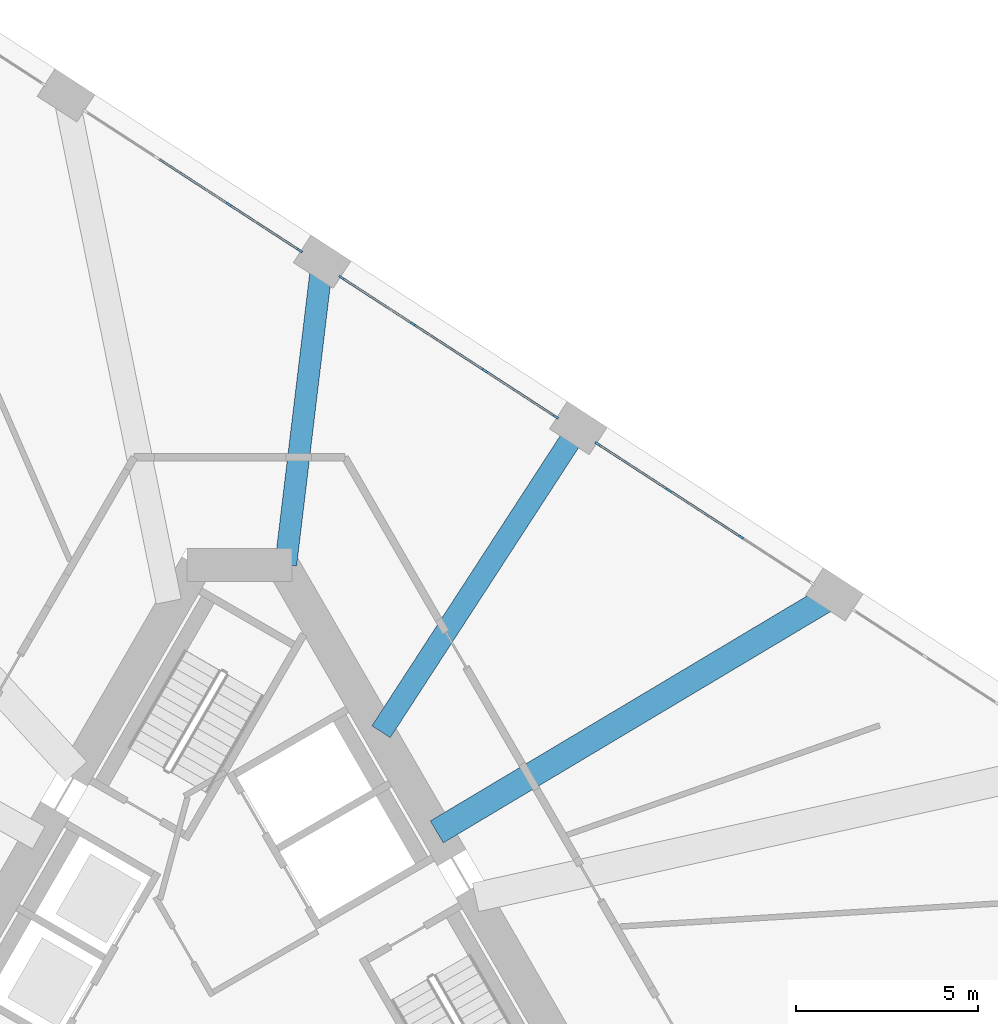
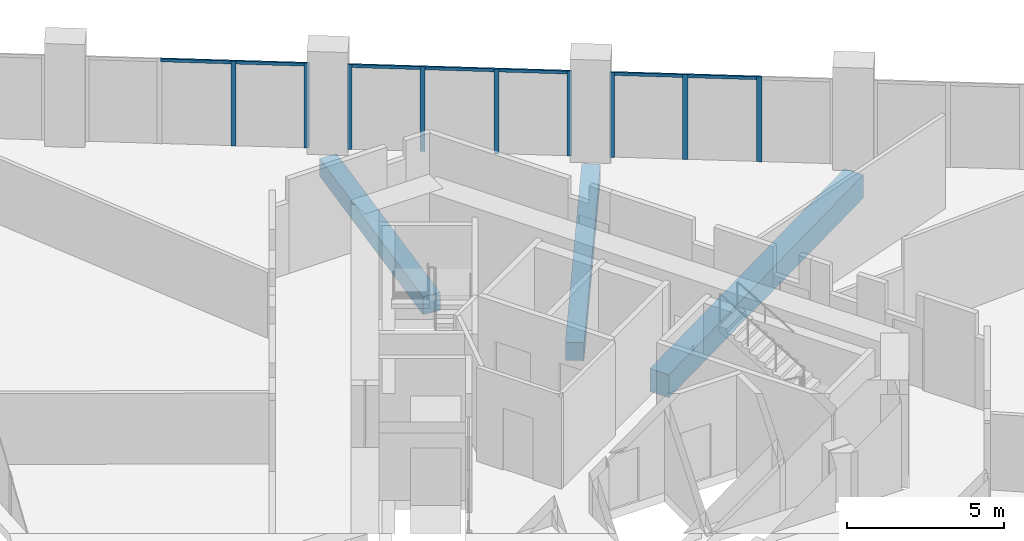
# One storey, part 7 of 18: 16 members, 3 beams, 3 elements without a shape of their own.
"""IFC4 building model written with IfcOpenShell, lengths in metres."""

from ifc_helpers import new_model, si_unit, direction, frame, origin, origin_2d, place, context, subcontext, project, spatial, rectangle, extrude, material, layer, layer_set, material_profile, profile_set, type_object, element, aggregate, save


model = new_model("IFC4")

# Units and contexts
model_context = context("Model", 3, precision=1e-05, world=origin(), true_north=direction((0.0, 1.0)))
body_context = subcontext(model_context, "Body", "Model", "MODEL_VIEW")
ifc_project = project(units=[si_unit("LENGTHUNIT", "METRE"), si_unit("AREAUNIT", "SQUARE_METRE"), si_unit("VOLUMEUNIT", "CUBIC_METRE"), si_unit("PLANEANGLEUNIT", "RADIAN"), si_unit("MASSUNIT", "GRAM", prefix="KILO")], contexts=[model_context])

# Site, building, storey
site_placement = place(None, origin())
site = spatial("IfcSite", under=ifc_project, at=site_placement, CompositionType="ELEMENT")
building_placement = place(site_placement, origin())
building = spatial("IfcBuilding", under=site, at=building_placement, Name="Tramontana Tower", CompositionType="ELEMENT")
storey_placement = place(building_placement, frame((0.0, 0.0, 125.60009765625)))
storey = spatial("IfcBuildingStorey", under=building, at=storey_placement, Name="L28", CompositionType="ELEMENT", Elevation=125.60009765625)

# Curtain wall, members
ifc_material_1 = material(Name="Aluminum extrusion", Category="aluminium")
ifc_layer = layer(ifc_material_1, 0.14990234375)
ifc_layer_set = layer_set([ifc_layer], Name="CW3 Sky lobby 1 curtain wall")
curtain_wall_type = type_object("IfcCurtainWallType", Name="CW3 Sky lobby 1 curtain wall", PredefinedType="NOTDEFINED", material=ifc_layer_set)
curtain_wall_1_placement = place(storey_placement, origin())
curtain_wall_1 = element("IfcCurtainWall", 1, at=curtain_wall_1_placement, inside=storey, type_object=curtain_wall_type, Name="CW3 curtain wall L28 face 2 bay 3", PredefinedType="NOTDEFINED")
ifc_material_2 = material(Name="Aluminum extrusion", Category="aluminium")
ifc_material_profile_1 = material_profile(ifc_material_2, rectangle(XDim=0.06005859375, YDim=0.159912109375, at=origin_2d()), Name="CW3-M Mullion 60 x 160")
ifc_profile_set_1 = profile_set([ifc_material_profile_1], Name="Aluminum extrusion")
member_type_1 = type_object("IfcMemberType", Name="CW3-M Mullion 60 x 160", PredefinedType="MULLION", material=ifc_profile_set_1)
member_1_placement = place(storey_placement, frame((13.744140625, 11.314697265625, 0.0), z_axis=(0.0, 0.0, 1.0), x_axis=(-0.544639035015, -0.838670567945, 0.0)))
member_1 = element("IfcMember", 2, at=member_1_placement, type_object=member_type_1, Name="CW3 curtain wall L28 face 2 bay 3 mullion 2", PredefinedType="MULLION", context=body_context, shape_type="SweptSolid", body=[
    extrude(rectangle(XDim=0.06005859375, YDim=0.159912109375, at=origin_2d()), origin(), (0.0, 0.0, 1.0), 3.2998046875),
])
member_2_placement = place(storey_placement, frame((11.767333984375, 12.5986328125, 0.0), z_axis=(0.0, 0.0, 1.0), x_axis=(-0.544639035015, -0.838670567945, 0.0)))
member_2 = element("IfcMember", 3, at=member_2_placement, type_object=member_type_1, Name="CW3 curtain wall L28 face 2 bay 3 mullion 3", PredefinedType="MULLION", context=body_context, shape_type="SweptSolid", body=[
    extrude(rectangle(XDim=0.06005859375, YDim=0.159912109375, at=origin_2d()), origin(), (0.0, 0.0, 1.0), 3.2998046875),
])
member_3_placement = place(storey_placement, frame((9.8154296875, 13.865966796875, 0.0), z_axis=(0.0, 0.0, 1.0), x_axis=(-0.544639035015, -0.838670567945, 0.0)))
member_3 = element("IfcMember", 4, at=member_3_placement, type_object=member_type_1, Name="CW3 curtain wall L28 face 2 bay 3 mullion 4", PredefinedType="MULLION", context=body_context, shape_type="SweptSolid", body=[
    extrude(rectangle(XDim=0.06005859375, YDim=0.159912109375, at=origin_2d()), origin(), (0.0, 0.0, 1.0), 3.2998046875),
])

curtain_wall_2_placement = place(storey_placement, origin())
curtain_wall_2 = element("IfcCurtainWall", 5, at=curtain_wall_2_placement, inside=storey, type_object=curtain_wall_type, Name="CW3 curtain wall L28 face 2 bay 4", PredefinedType="NOTDEFINED")
member_4_placement = place(storey_placement, frame((8.675048828125, 14.606689453125, 0.0), z_axis=(0.0, 0.0, 1.0), x_axis=(-0.544639035015, -0.838670567945, 0.0)))
member_4 = element("IfcMember", 6, at=member_4_placement, type_object=member_type_1, Name="CW3 curtain wall L28 face 2 bay 4 mullion 1", PredefinedType="MULLION", context=body_context, shape_type="SweptSolid", body=[
    extrude(rectangle(XDim=0.06005859375, YDim=0.159912109375, at=origin_2d()), origin(), (0.0, 0.0, 1.0), 3.2998046875),
])
member_5_placement = place(storey_placement, frame((6.72314453125, 15.874267578125, 0.0), z_axis=(0.0, 0.0, 1.0), x_axis=(-0.544639035015, -0.838670567945, 0.0)))
member_5 = element("IfcMember", 7, at=member_5_placement, type_object=member_type_1, Name="CW3 curtain wall L28 face 2 bay 4 mullion 2", PredefinedType="MULLION", context=body_context, shape_type="SweptSolid", body=[
    extrude(rectangle(XDim=0.06005859375, YDim=0.159912109375, at=origin_2d()), origin(), (0.0, 0.0, 1.0), 3.2998046875),
])
member_6_placement = place(storey_placement, frame((4.746337890625, 17.158203125, 0.0), z_axis=(0.0, 0.0, 1.0), x_axis=(-0.544639035015, -0.838670567945, 0.0)))
member_6 = element("IfcMember", 8, at=member_6_placement, type_object=member_type_1, Name="CW3 curtain wall L28 face 2 bay 4 mullion 3", PredefinedType="MULLION", context=body_context, shape_type="SweptSolid", body=[
    extrude(rectangle(XDim=0.06005859375, YDim=0.159912109375, at=origin_2d()), origin(), (0.0, 0.0, 1.0), 3.2998046875),
])
member_7_placement = place(storey_placement, frame((2.79443359375, 18.425537109375, 0.0), z_axis=(0.0, 0.0, 1.0), x_axis=(-0.544639035015, -0.838670567945, 0.0)))
member_7 = element("IfcMember", 9, at=member_7_placement, type_object=member_type_1, Name="CW3 curtain wall L28 face 2 bay 4 mullion 4", PredefinedType="MULLION", context=body_context, shape_type="SweptSolid", body=[
    extrude(rectangle(XDim=0.06005859375, YDim=0.159912109375, at=origin_2d()), origin(), (0.0, 0.0, 1.0), 3.2998046875),
])

curtain_wall_3_placement = place(storey_placement, origin())
curtain_wall_3 = element("IfcCurtainWall", 10, at=curtain_wall_3_placement, inside=storey, type_object=curtain_wall_type, Name="CW3 curtain wall L28 face 2 bay 5", PredefinedType="NOTDEFINED")
member_8_placement = place(storey_placement, frame((1.654052734375, 19.166259765625, 0.0), z_axis=(0.0, 0.0, 1.0), x_axis=(-0.544639035015, -0.838670567945, 0.0)))
member_8 = element("IfcMember", 11, at=member_8_placement, type_object=member_type_1, Name="CW3 curtain wall L28 face 2 bay 5 mullion 1", PredefinedType="MULLION", context=body_context, shape_type="SweptSolid", body=[
    extrude(rectangle(XDim=0.06005859375, YDim=0.159912109375, at=origin_2d()), origin(), (0.0, 0.0, 1.0), 3.2998046875),
])
member_9_placement = place(storey_placement, frame((-0.2978515625, 20.433837890625, 0.0), z_axis=(0.0, 0.0, 1.0), x_axis=(-0.544639035015, -0.838670567945, 0.0)))
member_9 = element("IfcMember", 12, at=member_9_placement, type_object=member_type_1, Name="CW3 curtain wall L28 face 2 bay 5 mullion 2", PredefinedType="MULLION", context=body_context, shape_type="SweptSolid", body=[
    extrude(rectangle(XDim=0.06005859375, YDim=0.159912109375, at=origin_2d()), origin(), (0.0, 0.0, 1.0), 3.2998046875),
])

# Member
ifc_material_3 = material(Name="Aluminum extrusion", Category="aluminium")
ifc_material_profile_2 = material_profile(ifc_material_3, rectangle(XDim=0.06005859375, YDim=0.1201171875, at=origin_2d()), Name="CW3-T Transom 60 x 120")
ifc_profile_set_2 = profile_set([ifc_material_profile_2], Name="Aluminum extrusion")
member_type_2 = type_object("IfcMemberType", Name="CW3-T Transom 60 x 120", PredefinedType="USERDEFINED", material=ifc_profile_set_2)
member_10_placement = place(storey_placement, frame((13.718994140625, 11.3310546875, 3.239990234375), z_axis=(-0.838645096229, 0.54467825601, 0.0), x_axis=(-0.54467825601, -0.838645096229, 0.0)))
member_10 = element("IfcMember", 13, at=member_10_placement, type_object=member_type_2, Name="CW3 curtain wall L28 face 2 bay 3 transom 2.1", ObjectType="TRANSOM", PredefinedType="USERDEFINED", context=body_context, shape_type="SweptSolid", body=[
    extrude(rectangle(XDim=0.06005859375, YDim=0.1201171875, at=origin_2d()), origin(), (0.0, 0.0, 1.0), 2.297119140625),
])

member_11_placement = place(storey_placement, frame((11.7421875, 12.614990234375, 3.239990234375), z_axis=(-0.838650220238, 0.544670366456, 0.0), x_axis=(-0.544670366456, -0.838650220238, 0.0)))
member_11 = element("IfcMember", 14, at=member_11_placement, type_object=member_type_2, Name="CW3 curtain wall L28 face 2 bay 3 transom 3.1", ObjectType="TRANSOM", PredefinedType="USERDEFINED", context=body_context, shape_type="SweptSolid", body=[
    extrude(rectangle(XDim=0.06005859375, YDim=0.1201171875, at=origin_2d()), origin(), (0.0, 0.0, 1.0), 2.26708984375),
])

aggregate(curtain_wall_1, [member_1, member_2, member_3, member_10, member_11])

member_12_placement = place(storey_placement, frame((8.64990234375, 14.623046875, 3.239990234375), z_axis=(-0.838682162347, 0.544621180787, 0.0), x_axis=(-0.544621180787, -0.838682162347, 0.0)))
member_12 = element("IfcMember", 15, at=member_12_placement, type_object=member_type_2, Name="CW3 curtain wall L28 face 2 bay 4 transom 1.1", ObjectType="TRANSOM", PredefinedType="USERDEFINED", context=body_context, shape_type="SweptSolid", body=[
    extrude(rectangle(XDim=0.06005859375, YDim=0.1201171875, at=origin_2d()), origin(), (0.0, 0.0, 1.0), 2.267333984375),
])

member_13_placement = place(storey_placement, frame((6.697998046875, 15.890625, 3.239990234375), z_axis=(-0.838645096229, 0.54467825601, 0.0), x_axis=(-0.54467825601, -0.838645096229, 0.0)))
member_13 = element("IfcMember", 16, at=member_13_placement, type_object=member_type_2, Name="CW3 curtain wall L28 face 2 bay 4 transom 2.1", ObjectType="TRANSOM", PredefinedType="USERDEFINED", context=body_context, shape_type="SweptSolid", body=[
    extrude(rectangle(XDim=0.06005859375, YDim=0.1201171875, at=origin_2d()), origin(), (0.0, 0.0, 1.0), 2.297119140625),
])

member_14_placement = place(storey_placement, frame((4.72119140625, 17.17431640625, 3.239990234375), z_axis=(-0.838650220238, 0.544670366456, 0.0), x_axis=(-0.544670366456, -0.838650220238, 0.0)))
member_14 = element("IfcMember", 17, at=member_14_placement, type_object=member_type_2, Name="CW3 curtain wall L28 face 2 bay 4 transom 3.1", ObjectType="TRANSOM", PredefinedType="USERDEFINED", context=body_context, shape_type="SweptSolid", body=[
    extrude(rectangle(XDim=0.06005859375, YDim=0.1201171875, at=origin_2d()), origin(), (0.0, 0.0, 1.0), 2.26708984375),
])

aggregate(curtain_wall_2, [member_4, member_5, member_6, member_7, member_12, member_13, member_14])

member_15_placement = place(storey_placement, frame((1.62890625, 19.1826171875, 3.239990234375), z_axis=(-0.838682162347, 0.544621180787, 0.0), x_axis=(-0.544621180787, -0.838682162347, 0.0)))
member_15 = element("IfcMember", 18, at=member_15_placement, type_object=member_type_2, Name="CW3 curtain wall L28 face 2 bay 5 transom 1.1", ObjectType="TRANSOM", PredefinedType="USERDEFINED", context=body_context, shape_type="SweptSolid", body=[
    extrude(rectangle(XDim=0.06005859375, YDim=0.1201171875, at=origin_2d()), origin(), (0.0, 0.0, 1.0), 2.267333984375),
])

member_16_placement = place(storey_placement, frame((-0.322998046875, 20.4501953125, 3.239990234375), z_axis=(-0.838693642934, 0.544603501, 0.0), x_axis=(-0.544603501, -0.838693642934, 0.0)))
member_16 = element("IfcMember", 19, at=member_16_placement, type_object=member_type_2, Name="CW3 curtain wall L28 face 2 bay 5 transom 2.1", ObjectType="TRANSOM", PredefinedType="USERDEFINED", context=body_context, shape_type="SweptSolid", body=[
    extrude(rectangle(XDim=0.06005859375, YDim=0.1201171875, at=origin_2d()), origin(), (0.0, 0.0, 1.0), 2.297119140625),
])

aggregate(curtain_wall_3, [member_8, member_9, member_15, member_16])

# Beams
ifc_material_4 = material(Name="Concrete 40 MPa", Category="concrete")
ifc_material_profile_3 = material_profile(ifc_material_4, rectangle(XDim=0.60009765625, YDim=0.699951171875, at=origin_2d()), Name="RC GIRDER 600X700 40 MPa")
ifc_profile_set_3 = profile_set([ifc_material_profile_3], Name="Concrete 40 MPa")
beam_type_1 = type_object("IfcBeamType", Name="RC GIRDER 600X700 40 MPa", PredefinedType="BEAM", material=ifc_profile_set_3)
beam_1_placement = place(storey_placement, frame((9.2861328125, 14.29931640625, -0.7001953125), z_axis=(-0.54464589271, -0.838666114466, 0.0), x_axis=(0.838666114466, -0.54464589271, 0.0)))
element("IfcBeam", 20, at=beam_1_placement, inside=storey, type_object=beam_type_1, Name="Radial girder C3F13 L28", PredefinedType="BEAM", context=body_context, shape_type="SweptSolid", body=[
    extrude(rectangle(XDim=0.60009765625, YDim=0.699951171875, at=origin_2d()), origin(), (0.0, 0.0, 1.0), 9.92431640625),
])
beam_2_placement = place(storey_placement, frame((2.26513671875, 18.85888671875, -0.7001953125), z_axis=(-0.119248793527, -0.992864404258, 0.0), x_axis=(0.992864404258, -0.119248793527, 0.0)))
element("IfcBeam", 21, at=beam_2_placement, inside=storey, type_object=beam_type_1, Name="Radial girder C3F14 L28", PredefinedType="BEAM", context=body_context, shape_type="SweptSolid", body=[
    extrude(rectangle(XDim=0.60009765625, YDim=0.699951171875, at=origin_2d()), origin(), (0.0, 0.0, 1.0), 8.365234375),
])
ifc_material_5 = material(Name="Concrete 40 MPa", Category="concrete")
ifc_material_profile_4 = material_profile(ifc_material_5, rectangle(XDim=0.699951171875, YDim=0.89990234375, at=origin_2d()), Name="RC GIRDER 700X900 40 MPa")
ifc_profile_set_4 = profile_set([ifc_material_profile_4], Name="Concrete 40 MPa")
beam_type_2 = type_object("IfcBeamType", Name="RC GIRDER 700X900 40 MPa", PredefinedType="BEAM", material=ifc_profile_set_4)
beam_3_placement = place(storey_placement, frame((16.30712890625, 9.73974609375, -0.800048828125), z_axis=(-0.858533155932, -0.512758052268, 0.0), x_axis=(0.512758052268, -0.858533155932, 0.0)))
element("IfcBeam", 22, at=beam_3_placement, inside=storey, type_object=beam_type_2, Name="Radial girder C3F12 L28", PredefinedType="BEAM", context=body_context, shape_type="SweptSolid", body=[
    extrude(rectangle(XDim=0.699951171875, YDim=0.89990234375, at=origin_2d()), origin(), (0.0, 0.0, 1.0), 12.693603515625),
])

save(model, "model.ifc")
